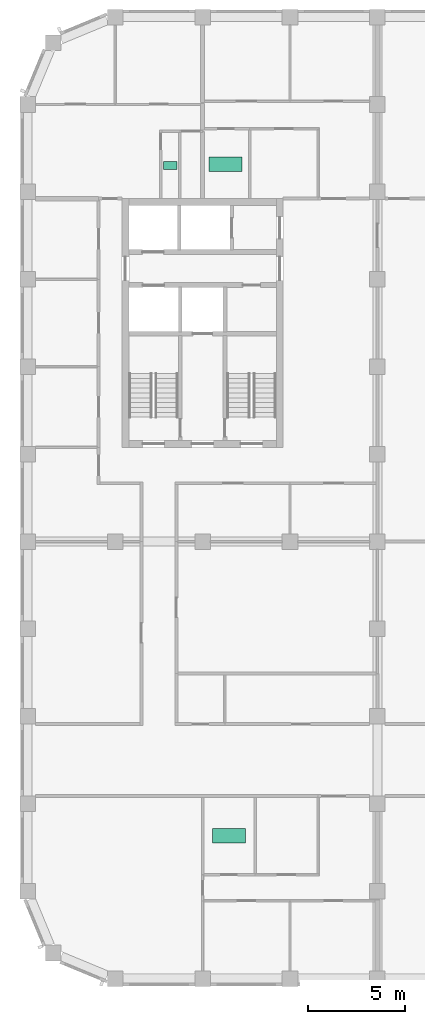
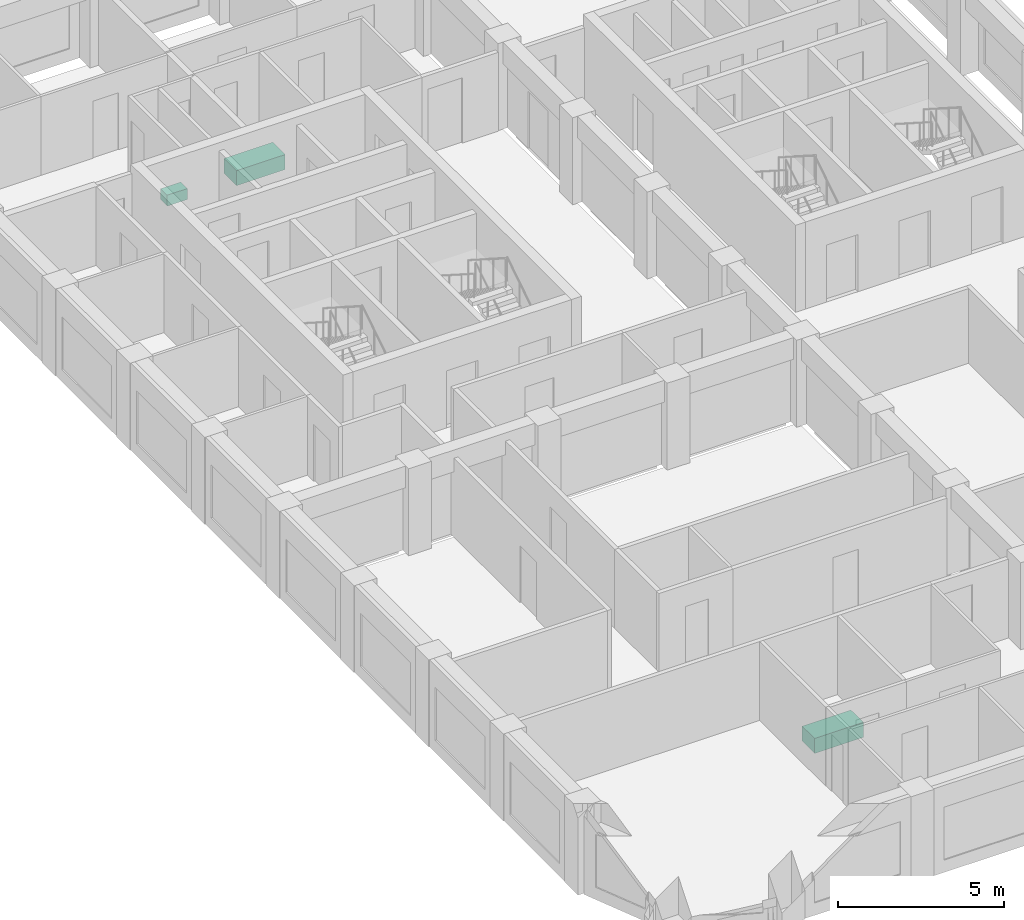
# One storey, part 9 of 9: 3 sanitary terminals.
"""IFC4 building model written with IfcOpenShell, lengths in metres."""

from ifc_helpers import new_model, si_unit, direction, frame, origin, origin_2d, place, context, subcontext, project, spatial, rectangle, extrude, material, type_object, element, save


model = new_model("IFC4")

# Units and contexts
model_context = context("Model", 3, precision=1e-05, world=origin(), true_north=direction((0.0, 1.0)))
body_context = subcontext(model_context, "Body", "Model", "MODEL_VIEW")
ifc_project = project(units=[si_unit("LENGTHUNIT", "METRE"), si_unit("AREAUNIT", "SQUARE_METRE"), si_unit("VOLUMEUNIT", "CUBIC_METRE"), si_unit("PLANEANGLEUNIT", "RADIAN"), si_unit("MASSUNIT", "GRAM", prefix="KILO")], contexts=[model_context])

# Site, building, storey
site_placement = place(None, origin())
site = spatial("IfcSite", under=ifc_project, at=site_placement, CompositionType="ELEMENT")
building_placement = place(site_placement, origin())
building = spatial("IfcBuilding", under=site, at=building_placement, Name="Girih Gate Residences", CompositionType="ELEMENT")
storey_placement = place(building_placement, frame((0.0, 0.0, 216.4951171875)))
storey = spatial("IfcBuildingStorey", under=building, at=storey_placement, Name="L60", CompositionType="ELEMENT", Elevation=216.4951171875)

# Sanitary terminals
ifc_material_1 = material(Name="Acrylic")
sanitary_terminal_type_1 = type_object("IfcSanitaryTerminalType", Name="Bath 1700", PredefinedType="BATH", material=ifc_material_1)
for number, where, z_axis, x_axis, name in (
    (1, (10.35400390625, 7.364013671875, 0.0), (0.0, 0.0, 1.0), (1.0, 0.0, 0.0), "Bath 1700 L60"),
    (2, (10.177978515625, 41.9140625, 0.0), (0.0, 0.0, 1.0), (1.0, 0.0, 0.0), "Bath 1700 L60"),
):
    element("IfcSanitaryTerminal", number, at=place(storey_placement, frame(where, z_axis=z_axis, x_axis=x_axis)), inside=storey, type_object=sanitary_terminal_type_1, Name=name, PredefinedType="BATH", context=body_context, shape_type="SweptSolid", body=[
        extrude(rectangle(XDim=1.699951171875, YDim=0.75, at=origin_2d()), origin(), (0.0, 0.0, 1.0), 0.550048828125),
    ])
ifc_material_2 = material(Name="Vitreous china")
sanitary_terminal_type_2 = type_object("IfcSanitaryTerminalType", Name="WC pan", PredefinedType="TOILETPAN", material=ifc_material_2)
sanitary_terminal_placement = place(storey_placement, frame((7.337890625, 41.85400390625, 0.0), z_axis=(0.0, 0.0, 1.0), x_axis=(1.0, 0.0, 0.0)))
element("IfcSanitaryTerminal", 3, at=sanitary_terminal_placement, inside=storey, type_object=sanitary_terminal_type_2, Name="WC pan L60", PredefinedType="TOILETPAN", context=body_context, shape_type="SweptSolid", body=[
    extrude(rectangle(XDim=0.699951171875, YDim=0.39990234375, at=origin_2d()), origin(), (0.0, 0.0, 1.0), 0.39990234375),
])

save(model, "model.ifc")
